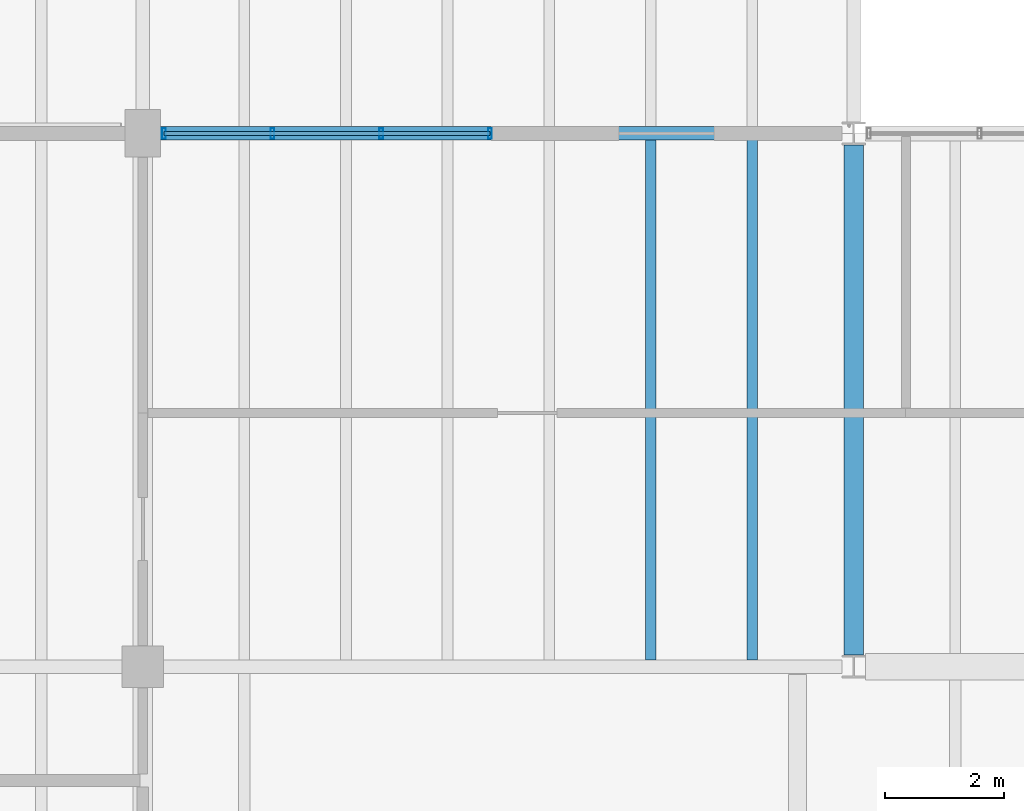
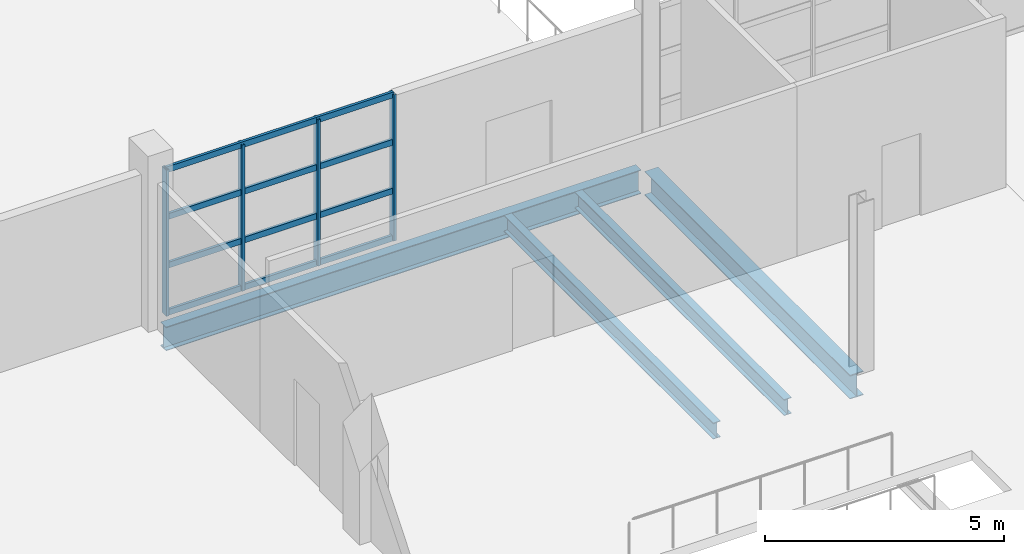
# One storey, part 12 of 78: 8 members, 4 beams, 1 element without a shape of its own.
"""IFC4 building model written with IfcOpenShell, lengths in metres."""

from ifc_helpers import new_model, si_unit, direction, frame, origin, origin_2d, place, context, subcontext, project, spatial, hollow_rectangle, i_section, extrude, material, material_profile, profile_set, type_object, element, aggregate, save


model = new_model("IFC4")

# Units and contexts
model_context = context("Model", 3, precision=1e-05, world=origin(), true_north=direction((0.0, 1.0)))
body_context = subcontext(model_context, "Body", "Model", "MODEL_VIEW")
ifc_project = project(units=[si_unit("LENGTHUNIT", "METRE"), si_unit("AREAUNIT", "SQUARE_METRE"), si_unit("VOLUMEUNIT", "CUBIC_METRE"), si_unit("PLANEANGLEUNIT", "RADIAN"), si_unit("MASSUNIT", "GRAM", prefix="KILO")], contexts=[model_context])

# Site, building, storey
site_placement = place(None, origin())
site = spatial("IfcSite", under=ifc_project, at=site_placement, CompositionType="ELEMENT")
building_placement = place(site_placement, origin())
building = spatial("IfcBuilding", under=site, at=building_placement, Name="Kelmvaro Bay Concert Hall", CompositionType="ELEMENT")
storey_placement = place(building_placement, frame((0.0, 0.0, 9.300048828125)))
storey = spatial("IfcBuildingStorey", under=building, at=storey_placement, Name="L02", CompositionType="ELEMENT", Elevation=9.300048828125)

# Curtain wall, members
ifc_material_1 = material(Name="Anodised Aluminium and Low-E Insulated Glazing", Category="aluminium")
curtain_wall_type = type_object("IfcCurtainWallType", Name="Upper Salon Waterfront Curtain Wall 4050", PredefinedType="USERDEFINED", material=ifc_material_1)
curtain_wall_placement = place(storey_placement, origin())
curtain_wall = element("IfcCurtainWall", 1, at=curtain_wall_placement, inside=storey, type_object=curtain_wall_type, Name="Unitised Curtain Wall CW-L02-088", ObjectType="UNITISED GLAZING", PredefinedType="USERDEFINED")
ifc_material_2 = material(Name="Anodised Extruded Aluminium 6063-T6", Category="aluminium")
ifc_material_profile_1 = material_profile(ifc_material_2, hollow_rectangle(XDim=0.06494140625, YDim=0.179931640625, WallThickness=0.00390625, at=origin_2d()), Name="ALU-MUL-180X65")
ifc_profile_set_1 = profile_set([ifc_material_profile_1], Name="Anodised Extruded Aluminium 6063-T6")
member_type_1 = type_object("IfcMemberType", Name="Curtain Mullion ALU 180x65", PredefinedType="MULLION", material=ifc_profile_set_1)
member_1_placement = place(storey_placement, frame((48.35498046875, 39.0, 0.0), z_axis=(0.0, 0.0, 1.0), x_axis=(1.0, 0.0, 0.0)))
member_1 = element("IfcMember", 2, at=member_1_placement, type_object=member_type_1, Name="CW-L02-088 Mullion 01", PredefinedType="MULLION", context=body_context, shape_type="SweptSolid", body=[
    extrude(hollow_rectangle(XDim=0.06494140625, YDim=0.179931640625, WallThickness=0.00390625, at=origin_2d()), origin(), (0.0, 0.0, 1.0), 3.742919921875),
])
member_2_placement = place(storey_placement, frame((50.18994140625, 39.0, 0.0), z_axis=(0.0, 0.0, 1.0), x_axis=(1.0, 0.0, 0.0)))
member_2 = element("IfcMember", 3, at=member_2_placement, type_object=member_type_1, Name="CW-L02-088 Mullion 02", PredefinedType="MULLION", context=body_context, shape_type="SweptSolid", body=[
    extrude(hollow_rectangle(XDim=0.06494140625, YDim=0.179931640625, WallThickness=0.00390625, at=origin_2d()), origin(), (0.0, 0.0, 1.0), 3.742919921875),
])
member_3_placement = place(storey_placement, frame((52.02490234375, 39.0, 0.0), z_axis=(0.0, 0.0, 1.0), x_axis=(1.0, 0.0, 0.0)))
member_3 = element("IfcMember", 4, at=member_3_placement, type_object=member_type_1, Name="CW-L02-088 Mullion 03", PredefinedType="MULLION", context=body_context, shape_type="SweptSolid", body=[
    extrude(hollow_rectangle(XDim=0.06494140625, YDim=0.179931640625, WallThickness=0.00390625, at=origin_2d()), origin(), (0.0, 0.0, 1.0), 3.742919921875),
])
member_4_placement = place(storey_placement, frame((53.860107421875, 39.0, 0.0), z_axis=(0.0, 0.0, 1.0), x_axis=(1.0, 0.0, 0.0)))
member_4 = element("IfcMember", 5, at=member_4_placement, type_object=member_type_1, Name="CW-L02-088 Mullion 04", PredefinedType="MULLION", context=body_context, shape_type="SweptSolid", body=[
    extrude(hollow_rectangle(XDim=0.06494140625, YDim=0.179931640625, WallThickness=0.00390625, at=origin_2d()), origin(), (0.0, 0.0, 1.0), 3.742919921875),
])
ifc_material_3 = material(Name="Anodised Extruded Aluminium 6063-T6", Category="aluminium")
ifc_material_profile_2 = material_profile(ifc_material_3, hollow_rectangle(XDim=0.06494140625, YDim=0.14990234375, WallThickness=0.00390625, at=origin_2d()), Name="ALU-TRN-150X65")
ifc_profile_set_2 = profile_set([ifc_material_profile_2], Name="Anodised Extruded Aluminium 6063-T6")
member_type_2 = type_object("IfcMemberType", Name="Curtain Transom ALU 150x65", PredefinedType="USERDEFINED", material=ifc_profile_set_2)
member_5_placement = place(storey_placement, frame((48.35498046875, 39.0, 0.0400390625), z_axis=(1.0, 0.0, 0.0), x_axis=(0.0, 1.0, 0.0)))
member_5 = element("IfcMember", 6, at=member_5_placement, type_object=member_type_2, Name="CW-L02-088 Transom 01", ObjectType="TRANSOM", PredefinedType="USERDEFINED", context=body_context, shape_type="SweptSolid", body=[
    extrude(hollow_rectangle(XDim=0.06494140625, YDim=0.14990234375, WallThickness=0.00390625, at=origin_2d()), origin(), (0.0, 0.0, 1.0), 5.505126953125),
])
member_6_placement = place(storey_placement, frame((48.35498046875, 39.0, 1.24755859375), z_axis=(1.0, 0.0, 0.0), x_axis=(0.0, 1.0, 0.0)))
member_6 = element("IfcMember", 7, at=member_6_placement, type_object=member_type_2, Name="CW-L02-088 Transom 02", ObjectType="TRANSOM", PredefinedType="USERDEFINED", context=body_context, shape_type="SweptSolid", body=[
    extrude(hollow_rectangle(XDim=0.06494140625, YDim=0.14990234375, WallThickness=0.00390625, at=origin_2d()), origin(), (0.0, 0.0, 1.0), 5.505126953125),
])
member_7_placement = place(storey_placement, frame((48.35498046875, 39.0, 2.495361328125), z_axis=(1.0, 0.0, 0.0), x_axis=(0.0, 1.0, 0.0)))
member_7 = element("IfcMember", 8, at=member_7_placement, type_object=member_type_2, Name="CW-L02-088 Transom 03", ObjectType="TRANSOM", PredefinedType="USERDEFINED", context=body_context, shape_type="SweptSolid", body=[
    extrude(hollow_rectangle(XDim=0.06494140625, YDim=0.14990234375, WallThickness=0.00390625, at=origin_2d()), origin(), (0.0, 0.0, 1.0), 5.505126953125),
])
member_8_placement = place(storey_placement, frame((48.35498046875, 39.0, 3.702880859375), z_axis=(1.0, 0.0, 0.0), x_axis=(0.0, 1.0, 0.0)))
member_8 = element("IfcMember", 9, at=member_8_placement, type_object=member_type_2, Name="CW-L02-088 Transom 04", ObjectType="TRANSOM", PredefinedType="USERDEFINED", context=body_context, shape_type="SweptSolid", body=[
    extrude(hollow_rectangle(XDim=0.06494140625, YDim=0.14990234375, WallThickness=0.00390625, at=origin_2d()), origin(), (0.0, 0.0, 1.0), 5.505126953125),
])
aggregate(curtain_wall, [member_1, member_2, member_3, member_4, member_5, member_6, member_7, member_8])

# Beams
ifc_material_4 = material(Name="Steel ASTM A992 Grade 50", Category="steel")
ifc_material_profile_3 = material_profile(ifc_material_4, i_section(OverallWidth=0.323974609375, OverallDepth=0.611083984375, WebThickness=0.0126953125, FlangeThickness=0.01904296875, at=origin_2d()), Name="W24X104")
ifc_profile_set_3 = profile_set([ifc_material_profile_3], Name="Steel ASTM A992 Grade 50")
beam_type_1 = type_object("IfcBeamType", Name="Foyer Frame Girder W24x104", PredefinedType="BEAM", material=ifc_profile_set_3)
beam_1_placement = place(storey_placement, frame((60.0, 30.193115234375, -0.5556640625), z_axis=(0.0, 1.0, 0.0), x_axis=(-1.0, 0.0, 0.0)))
element("IfcBeam", 10, at=beam_1_placement, inside=storey, type_object=beam_type_1, Name="L02 Girder BM-L02-NS-0833", PredefinedType="BEAM", context=body_context, shape_type="SweptSolid", body=[
    extrude(i_section(OverallWidth=0.323974609375, OverallDepth=0.611083984375, WebThickness=0.0126953125, FlangeThickness=0.01904296875, at=origin_2d()), origin(), (0.0, 0.0, 1.0), 8.61376953125),
])
ifc_material_5 = material(Name="Steel ASTM A992 Grade 50", Category="steel")
ifc_material_profile_4 = material_profile(ifc_material_5, i_section(OverallWidth=0.22802734375, OverallDepth=0.60693359375, WebThickness=0.01123046875, FlangeThickness=0.017333984375, at=origin_2d()), Name="W24X76")
ifc_profile_set_4 = profile_set([ifc_material_profile_4], Name="Steel ASTM A992 Grade 50")
beam_type_2 = type_object("IfcBeamType", Name="Pavilion Secondary Girder W24x76", PredefinedType="BEAM", material=ifc_profile_set_4)
beam_2_placement = place(storey_placement, frame((48.300048828125, 39.0, -0.553466796875), z_axis=(1.0, 0.0, 0.0), x_axis=(0.0, 1.0, 0.0)))
element("IfcBeam", 11, at=beam_2_placement, inside=storey, type_object=beam_type_2, Name="L02 Girder BM-L02-EW-0725", PredefinedType="BEAM", context=body_context, shape_type="SweptSolid", body=[
    extrude(i_section(OverallWidth=0.22802734375, OverallDepth=0.60693359375, WebThickness=0.01123046875, FlangeThickness=0.017333984375, at=origin_2d()), origin(), (0.0, 0.0, 1.0), 11.50048828125),
])
ifc_material_6 = material(Name="Steel ASTM A992 Grade 50", Category="steel")
ifc_material_profile_5 = material_profile(ifc_material_6, i_section(OverallWidth=0.179931640625, OverallDepth=0.4140625, WebThickness=0.009765625, FlangeThickness=0.01611328125, at=origin_2d()), Name="W16X50")
ifc_profile_set_5 = profile_set([ifc_material_profile_5], Name="Steel ASTM A992 Grade 50")
beam_type_3 = type_object("IfcBeamType", Name="Terrace Composite Joist W16x50", PredefinedType="JOIST", material=ifc_profile_set_5)
for number, where, z_axis, x_axis, name in (
    (12, (56.5712890625, 30.114013671875, -0.45703125), (0.0, 1.0, 0.0), (-1.0, 0.0, 0.0), "L02 Floor Joist JST-L02-1049"),
    (13, (58.28564453125, 30.114013671875, -0.45703125), (0.0, 1.0, 0.0), (-1.0, 0.0, 0.0), "L02 Floor Joist JST-L02-1050"),
):
    element("IfcBeam", number, at=place(storey_placement, frame(where, z_axis=z_axis, x_axis=x_axis)), inside=storey, type_object=beam_type_3, Name=name, PredefinedType="JOIST", context=body_context, shape_type="SweptSolid", body=[
        extrude(i_section(OverallWidth=0.179931640625, OverallDepth=0.4140625, WebThickness=0.009765625, FlangeThickness=0.01611328125, at=origin_2d()), origin(), (0.0, 0.0, 1.0), 8.77197265625),
    ])

save(model, "model.ifc")
